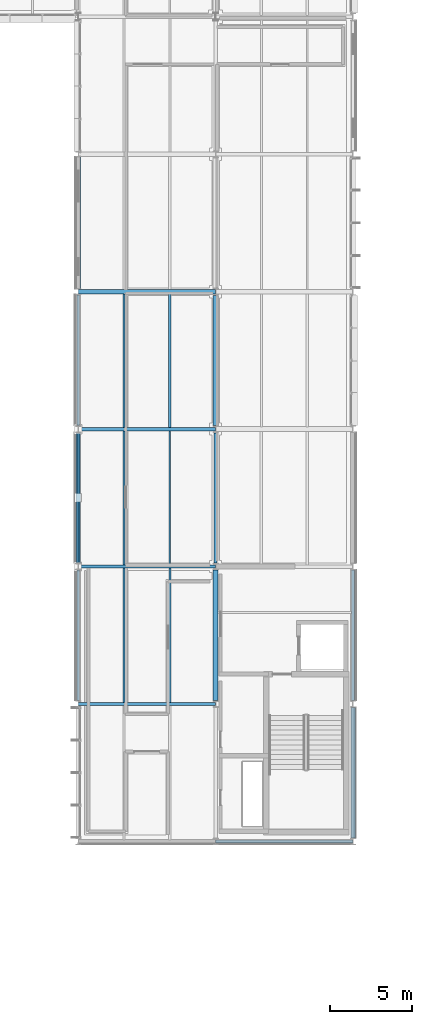
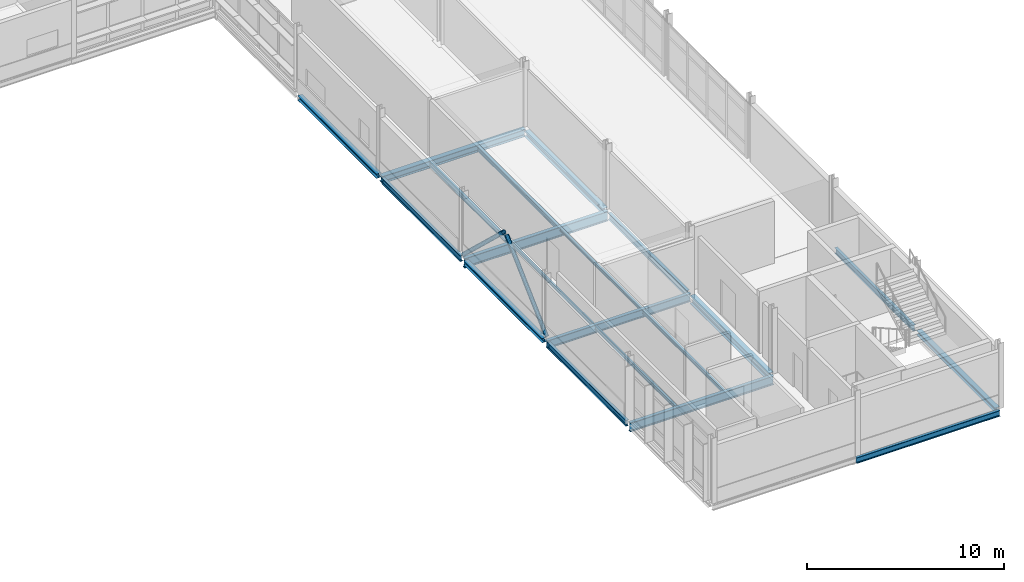
# One storey, part 84 of 131: 20 beams, 2 members.
"""IFC4 building model written with IfcOpenShell, lengths in metres."""

from ifc_helpers import new_model, si_unit, direction, frame, origin, origin_2d, place, context, subcontext, project, spatial, hollow_circle, i_section, extrude, material, material_profile, profile_set, type_object, element, save


model = new_model("IFC4")

# Units and contexts
model_context = context("Model", 3, precision=1e-05, world=origin(), true_north=direction((0.0, 1.0)))
body_context = subcontext(model_context, "Body", "Model", "MODEL_VIEW")
ifc_project = project(units=[si_unit("LENGTHUNIT", "METRE"), si_unit("AREAUNIT", "SQUARE_METRE"), si_unit("VOLUMEUNIT", "CUBIC_METRE"), si_unit("PLANEANGLEUNIT", "RADIAN"), si_unit("MASSUNIT", "GRAM", prefix="KILO")], contexts=[model_context])

# Site, building, storey
site_placement = place(None, origin())
site = spatial("IfcSite", under=ifc_project, at=site_placement, CompositionType="ELEMENT")
building_placement = place(site_placement, origin())
building = spatial("IfcBuilding", under=site, at=building_placement, Name="Mersafa Astral City Hall", CompositionType="ELEMENT")
storey_placement = place(building_placement, frame((0.0, 0.0, 13.949951171875)))
storey = spatial("IfcBuildingStorey", under=building, at=storey_placement, Name="L03", CompositionType="ELEMENT", Elevation=13.949951171875)

# Beams
ifc_material = material(Name="Steel S355", Category="steel")
ifc_material_profile_1 = material_profile(ifc_material, i_section(OverallWidth=0.300048828125, OverallDepth=0.35009765625, WebThickness=0.010009765625, FlangeThickness=0.017578125, FilletRadius=0.027099609375, at=origin_2d()), Name="HEA 360")
ifc_profile_set_1 = profile_set([ifc_material_profile_1], Name="Steel S355")
beam_type_1 = type_object("IfcBeamType", Name="STR-BM-HEA360", PredefinedType="BEAM", material=ifc_profile_set_1)
beam_1_placement = place(storey_placement, frame((168.0, 75.820068359375, -0.375), z_axis=(0.0, 1.0, 0.0), x_axis=(-1.0, 0.0, 0.0)))
element("IfcBeam", 1, at=beam_1_placement, inside=storey, type_object=beam_type_1, Name="L03 Primary girder Y 20-9", PredefinedType="BEAM", context=body_context, shape_type="SweptSolid", body=[
    extrude(i_section(OverallWidth=0.300048828125, OverallDepth=0.35009765625, WebThickness=0.010009765625, FlangeThickness=0.017578125, FilletRadius=0.027099609375, at=origin_2d()), origin(), (0.0, 0.0, 1.0), 7.9599609375),
])
ifc_material_profile_2 = material_profile(ifc_material, i_section(OverallWidth=0.300048828125, OverallDepth=0.43994140625, WebThickness=0.011474609375, FlangeThickness=0.02099609375, FilletRadius=0.027099609375, at=origin_2d()), Name="HEA 450")
ifc_profile_set_2 = profile_set([ifc_material_profile_2], Name="Steel S355")
beam_type_2 = type_object("IfcBeamType", Name="STR-BM-HEA450", PredefinedType="BEAM", material=ifc_profile_set_2)
beam_2_placement = place(storey_placement, frame((159.60302734375, 84.0, -0.419921875), z_axis=(1.0, 0.0, 0.0), x_axis=(0.0, 1.0, 0.0)))
element("IfcBeam", 2, at=beam_2_placement, inside=storey, type_object=beam_type_2, Name="L03 Primary girder X 19-10", PredefinedType="BEAM", context=body_context, shape_type="SweptSolid", body=[
    extrude(i_section(OverallWidth=0.300048828125, OverallDepth=0.43994140625, WebThickness=0.011474609375, FlangeThickness=0.02099609375, FilletRadius=0.027099609375, at=origin_2d()), origin(), (0.0, 0.0, 1.0), 8.39404296875),
])
ifc_material_profile_3 = material_profile(ifc_material, i_section(OverallWidth=0.300048828125, OverallDepth=0.489990234375, WebThickness=0.011962890625, FlangeThickness=0.02294921875, FilletRadius=0.027099609375, at=origin_2d()), Name="HEA 500")
ifc_profile_set_3 = profile_set([ifc_material_profile_3], Name="Steel S355")
beam_type_3 = type_object("IfcBeamType", Name="STR-BM-HEA500", PredefinedType="BEAM", material=ifc_profile_set_3)
beam_3_placement = place(storey_placement, frame((168.0, 59.02001953125, -0.445068359375), z_axis=(0.0, 1.0, 0.0), x_axis=(-1.0, 0.0, 0.0)))
element("IfcBeam", 3, at=beam_3_placement, inside=storey, type_object=beam_type_3, Name="L03 Primary girder Y 20-7", PredefinedType="BEAM", context=body_context, shape_type="SweptSolid", body=[
    extrude(i_section(OverallWidth=0.300048828125, OverallDepth=0.489990234375, WebThickness=0.011962890625, FlangeThickness=0.02294921875, FilletRadius=0.027099609375, at=origin_2d()), origin(), (0.0, 0.0, 1.0), 7.9599609375),
])
ifc_material_profile_4 = material_profile(ifc_material, i_section(OverallWidth=0.179931640625, OverallDepth=0.39990234375, WebThickness=0.008544921875, FlangeThickness=0.013427734375, FilletRadius=0.02099609375, at=origin_2d()), Name="IPE 400")
ifc_profile_set_4 = profile_set([ifc_material_profile_4], Name="Steel S355")
beam_type_4 = type_object("IfcBeamType", Name="STR-BM-IPE400", PredefinedType="BEAM", material=ifc_profile_set_4)
beam_4_placement = place(storey_placement, frame((168.0, 67.419921875, -0.39990234375), z_axis=(0.0, 1.0, 0.0), x_axis=(-1.0, 0.0, 0.0)))
element("IfcBeam", 4, at=beam_4_placement, inside=storey, type_object=beam_type_4, Name="L03 Primary girder Y 20-8", PredefinedType="BEAM", context=body_context, shape_type="SweptSolid", body=[
    extrude(i_section(OverallWidth=0.179931640625, OverallDepth=0.39990234375, WebThickness=0.008544921875, FlangeThickness=0.013427734375, FilletRadius=0.02099609375, at=origin_2d()), origin(), (0.0, 0.0, 1.0), 7.9599609375),
])
ifc_material_profile_5 = material_profile(ifc_material, i_section(OverallWidth=0.199951171875, OverallDepth=0.5, WebThickness=0.01025390625, FlangeThickness=0.01611328125, FilletRadius=0.02099609375, at=origin_2d()), Name="IPE 500")
ifc_profile_set_5 = profile_set([ifc_material_profile_5], Name="Steel S355")
beam_type_5 = type_object("IfcBeamType", Name="STR-BM-IPE500", PredefinedType="BEAM", material=ifc_profile_set_5)
beam_5_placement = place(storey_placement, frame((159.60302734375, 67.199951171875, -0.449951171875), z_axis=(1.0, 0.0, 0.0), x_axis=(0.0, 1.0, 0.0)))
element("IfcBeam", 5, at=beam_5_placement, inside=storey, type_object=beam_type_5, Name="L03 Primary girder X 19-8", PredefinedType="BEAM", context=body_context, shape_type="SweptSolid", body=[
    extrude(i_section(OverallWidth=0.199951171875, OverallDepth=0.5, WebThickness=0.01025390625, FlangeThickness=0.01611328125, FilletRadius=0.02099609375, at=origin_2d()), origin(), (0.0, 0.0, 1.0), 8.39404296875),
])
ifc_material_profile_6 = material_profile(ifc_material, i_section(OverallWidth=0.2099609375, OverallDepth=0.550048828125, WebThickness=0.010986328125, FlangeThickness=0.01708984375, FilletRadius=0.02392578125, at=origin_2d()), Name="IPE 550")
ifc_profile_set_6 = profile_set([ifc_material_profile_6], Name="Steel S355")
beam_type_6 = type_object("IfcBeamType", Name="STR-BM-IPE550", PredefinedType="BEAM", material=ifc_profile_set_6)
beam_6_placement = place(storey_placement, frame((159.60302734375, 58.800048828125, -0.474853515625), z_axis=(1.0, 0.0, 0.0), x_axis=(0.0, 1.0, 0.0)))
element("IfcBeam", 6, at=beam_6_placement, inside=storey, type_object=beam_type_6, Name="L03 Primary girder X 19-7", PredefinedType="BEAM", context=body_context, shape_type="SweptSolid", body=[
    extrude(i_section(OverallWidth=0.2099609375, OverallDepth=0.550048828125, WebThickness=0.010986328125, FlangeThickness=0.01708984375, FilletRadius=0.02392578125, at=origin_2d()), origin(), (0.0, 0.0, 1.0), 8.39404296875),
])
ifc_material_profile_7 = material_profile(ifc_material, i_section(OverallWidth=0.219970703125, OverallDepth=0.60009765625, WebThickness=0.011962890625, FlangeThickness=0.01904296875, FilletRadius=0.02392578125, at=origin_2d()), Name="IPE 600")
ifc_profile_set_7 = profile_set([ifc_material_profile_7], Name="Steel S355")
beam_type_7 = type_object("IfcBeamType", Name="STR-BM-IPE600", PredefinedType="BEAM", material=ifc_profile_set_7)
beam_7_placement = place(storey_placement, frame((159.60302734375, 75.60009765625, -0.5), z_axis=(1.0, 0.0, 0.0), x_axis=(0.0, 1.0, 0.0)))
element("IfcBeam", 7, at=beam_7_placement, inside=storey, type_object=beam_type_7, Name="L03 Primary girder X 19-9", PredefinedType="BEAM", context=body_context, shape_type="SweptSolid", body=[
    extrude(i_section(OverallWidth=0.219970703125, OverallDepth=0.60009765625, WebThickness=0.011962890625, FlangeThickness=0.01904296875, FilletRadius=0.02392578125, at=origin_2d()), origin(), (0.0, 0.0, 1.0), 8.39404296875),
])
ifc_material_profile_8 = material_profile(ifc_material, i_section(OverallWidth=0.110107421875, OverallDepth=0.219970703125, WebThickness=0.005859375, FlangeThickness=0.00927734375, FilletRadius=0.011962890625, at=origin_2d()), Name="IPE 220")
ifc_profile_set_8 = profile_set([ifc_material_profile_8], Name="Steel S355")
beam_type_8 = type_object("IfcBeamType", Name="STR-BM-JOIST-IPE220", PredefinedType="JOIST", material=ifc_profile_set_8)
for number, where, z_axis, x_axis, name in (
    (8, (162.39990234375, 67.294921875, -0.31005859375), (0.0, 1.0, 0.0), (-1.0, 0.0, 0.0), "L03 Composite secondary floor joist 656"),
    (9, (165.199951171875, 67.294921875, -0.31005859375), (0.0, 1.0, 0.0), (-1.0, 0.0, 0.0), "L03 Composite secondary floor joist 657"),
):
    element("IfcBeam", number, at=place(storey_placement, frame(where, z_axis=z_axis, x_axis=x_axis)), inside=storey, type_object=beam_type_8, Name=name, PredefinedType="JOIST", context=body_context, shape_type="SweptSolid", body=[
        extrude(i_section(OverallWidth=0.110107421875, OverallDepth=0.219970703125, WebThickness=0.005859375, FlangeThickness=0.00927734375, FilletRadius=0.011962890625, at=origin_2d()), origin(), (0.0, 0.0, 1.0), 8.2001953125),
    ])
ifc_material_profile_9 = material_profile(ifc_material, i_section(OverallWidth=0.1201171875, OverallDepth=0.239990234375, WebThickness=0.006103515625, FlangeThickness=0.009765625, FilletRadius=0.014892578125, at=origin_2d()), Name="IPE 240")
ifc_profile_set_9 = profile_set([ifc_material_profile_9], Name="Steel S355")
beam_type_9 = type_object("IfcBeamType", Name="STR-BM-JOIST-IPE240", PredefinedType="JOIST", material=ifc_profile_set_9)
for number, where, z_axis, x_axis, name in (
    (10, (162.39990234375, 58.89990234375, -0.320068359375), (0.0, 1.0, 0.0), (-1.0, 0.0, 0.0), "L03 Composite secondary floor joist 654"),
    (11, (165.199951171875, 58.89990234375, -0.320068359375), (0.0, 1.0, 0.0), (-1.0, 0.0, 0.0), "L03 Composite secondary floor joist 655"),
):
    element("IfcBeam", number, at=place(storey_placement, frame(where, z_axis=z_axis, x_axis=x_axis)), inside=storey, type_object=beam_type_9, Name=name, PredefinedType="JOIST", context=body_context, shape_type="SweptSolid", body=[
        extrude(i_section(OverallWidth=0.1201171875, OverallDepth=0.239990234375, WebThickness=0.006103515625, FlangeThickness=0.009765625, FilletRadius=0.014892578125, at=origin_2d()), origin(), (0.0, 0.0, 1.0), 8.205078125),
    ])
ifc_material_profile_10 = material_profile(ifc_material, i_section(OverallWidth=0.14990234375, OverallDepth=0.300048828125, WebThickness=0.007080078125, FlangeThickness=0.0107421875, FilletRadius=0.014892578125, at=origin_2d()), Name="IPE 300")
ifc_profile_set_10 = profile_set([ifc_material_profile_10], Name="Steel S355")
beam_type_10 = type_object("IfcBeamType", Name="STR-BM-JOIST-IPE300", PredefinedType="JOIST", material=ifc_profile_set_10)
for number, where, z_axis, x_axis, name in (
    (12, (162.39990234375, 75.705078125, -0.349853515625), (0.0, 1.0, 0.0), (-1.0, 0.0, 0.0), "L03 Composite secondary floor joist 658"),
    (13, (165.199951171875, 75.705078125, -0.349853515625), (0.0, 1.0, 0.0), (-1.0, 0.0, 0.0), "L03 Composite secondary floor joist 659"),
):
    element("IfcBeam", number, at=place(storey_placement, frame(where, z_axis=z_axis, x_axis=x_axis)), inside=storey, type_object=beam_type_10, Name=name, PredefinedType="JOIST", context=body_context, shape_type="SweptSolid", body=[
        extrude(i_section(OverallWidth=0.14990234375, OverallDepth=0.300048828125, WebThickness=0.007080078125, FlangeThickness=0.0107421875, FilletRadius=0.014892578125, at=origin_2d()), origin(), (0.0, 0.0, 1.0), 8.14990234375),
    ])
ifc_material_profile_11 = material_profile(ifc_material, i_section(OverallWidth=0.280029296875, OverallDepth=0.27001953125, WebThickness=0.008056640625, FlangeThickness=0.012939453125, FilletRadius=0.02392578125, at=origin_2d()), Name="HEA 280")
ifc_profile_set_11 = profile_set([ifc_material_profile_11], Name="Steel S355")
beam_type_11 = type_object("IfcBeamType", Name="STR-BM-SPANDREL-HEA280", PredefinedType="SPANDREL", material=ifc_profile_set_11)
beam_8_placement = place(storey_placement, frame((159.60009765625, 67.419921875, -0.3349609375), z_axis=(0.0, 1.0, 0.0), x_axis=(-1.0, 0.0, 0.0)))
element("IfcBeam", 14, at=beam_8_placement, inside=storey, type_object=beam_type_11, Name="L03 Primary girder Y 19-8", PredefinedType="SPANDREL", context=body_context, shape_type="SweptSolid", body=[
    extrude(i_section(OverallWidth=0.280029296875, OverallDepth=0.27001953125, WebThickness=0.008056640625, FlangeThickness=0.012939453125, FilletRadius=0.02392578125, at=origin_2d()), origin(), (0.0, 0.0, 1.0), 7.9599609375),
])
beam_9_placement = place(storey_placement, frame((159.60009765625, 84.195068359375, -0.3349609375), z_axis=(0.0, 1.0, 0.0), x_axis=(-1.0, 0.0, 0.0)))
element("IfcBeam", 15, at=beam_9_placement, inside=storey, type_object=beam_type_11, Name="L03 Primary girder Y 19-10", PredefinedType="SPANDREL", context=body_context, shape_type="SweptSolid", body=[
    extrude(i_section(OverallWidth=0.280029296875, OverallDepth=0.27001953125, WebThickness=0.008056640625, FlangeThickness=0.012939453125, FilletRadius=0.02392578125, at=origin_2d()), origin(), (0.0, 0.0, 1.0), 8.030029296875),
])
beam_10_placement = place(storey_placement, frame((176.39990234375, 50.6201171875, -0.3349609375), z_axis=(0.0, 1.0, 0.0), x_axis=(-1.0, 0.0, 0.0)))
element("IfcBeam", 16, at=beam_10_placement, inside=storey, type_object=beam_type_11, Name="L03 Primary girder Y 21-6", PredefinedType="SPANDREL", context=body_context, shape_type="SweptSolid", body=[
    extrude(i_section(OverallWidth=0.280029296875, OverallDepth=0.27001953125, WebThickness=0.008056640625, FlangeThickness=0.012939453125, FilletRadius=0.02392578125, at=origin_2d()), origin(), (0.0, 0.0, 1.0), 7.9599609375),
])
ifc_material_profile_12 = material_profile(ifc_material, i_section(OverallWidth=0.169921875, OverallDepth=0.360107421875, WebThickness=0.008056640625, FlangeThickness=0.0126953125, FilletRadius=0.01806640625, at=origin_2d()), Name="IPE 360")
ifc_profile_set_12 = profile_set([ifc_material_profile_12], Name="Steel S355")
beam_type_12 = type_object("IfcBeamType", Name="STR-BM-SPANDREL-IPE360", PredefinedType="SPANDREL", material=ifc_profile_set_12)
beam_11_placement = place(storey_placement, frame((168.0029296875, 50.39990234375, -0.3798828125), z_axis=(1.0, 0.0, 0.0), x_axis=(0.0, 1.0, 0.0)))
element("IfcBeam", 17, at=beam_11_placement, inside=storey, type_object=beam_type_12, Name="L03 Primary girder X 20-6", PredefinedType="SPANDREL", context=body_context, shape_type="SweptSolid", body=[
    extrude(i_section(OverallWidth=0.169921875, OverallDepth=0.360107421875, WebThickness=0.008056640625, FlangeThickness=0.0126953125, FilletRadius=0.01806640625, at=origin_2d()), origin(), (0.0, 0.0, 1.0), 8.39404296875),
])
beam_12_placement = place(storey_placement, frame((159.60009765625, 59.02001953125, -0.3798828125), z_axis=(0.0, 1.0, 0.0), x_axis=(-1.0, 0.0, 0.0)))
element("IfcBeam", 18, at=beam_12_placement, inside=storey, type_object=beam_type_12, Name="L03 Primary girder Y 19-7", PredefinedType="SPANDREL", context=body_context, shape_type="SweptSolid", body=[
    extrude(i_section(OverallWidth=0.169921875, OverallDepth=0.360107421875, WebThickness=0.008056640625, FlangeThickness=0.0126953125, FilletRadius=0.01806640625, at=origin_2d()), origin(), (0.0, 0.0, 1.0), 7.9599609375),
])
beam_13_placement = place(storey_placement, frame((159.60009765625, 75.820068359375, -0.3798828125), z_axis=(0.0, 1.0, 0.0), x_axis=(-1.0, 0.0, 0.0)))
element("IfcBeam", 19, at=beam_13_placement, inside=storey, type_object=beam_type_12, Name="L03 Primary girder Y 19-9", PredefinedType="SPANDREL", context=body_context, shape_type="SweptSolid", body=[
    extrude(i_section(OverallWidth=0.169921875, OverallDepth=0.360107421875, WebThickness=0.008056640625, FlangeThickness=0.0126953125, FilletRadius=0.01806640625, at=origin_2d()), origin(), (0.0, 0.0, 1.0), 7.98486328125),
])
beam_14_placement = place(storey_placement, frame((176.39990234375, 59.02001953125, -0.3798828125), z_axis=(0.0, 1.0, 0.0), x_axis=(-1.0, 0.0, 0.0)))
element("IfcBeam", 20, at=beam_14_placement, inside=storey, type_object=beam_type_12, Name="L03 Primary girder Y 21-7", PredefinedType="SPANDREL", context=body_context, shape_type="SweptSolid", body=[
    extrude(i_section(OverallWidth=0.169921875, OverallDepth=0.360107421875, WebThickness=0.008056640625, FlangeThickness=0.0126953125, FilletRadius=0.01806640625, at=origin_2d()), origin(), (0.0, 0.0, 1.0), 7.9599609375),
])

# Members
ifc_material_profile_13 = material_profile(ifc_material, hollow_circle(Radius=0.122314453125, WallThickness=0.012451171875, at=origin_2d()), Name="CHS 244.5x12.5")
ifc_profile_set_13 = profile_set([ifc_material_profile_13], Name="Steel S355")
member_type = type_object("IfcMemberType", Name="STR-MBR-BRACE-CHS245", PredefinedType="BRACE", material=ifc_profile_set_13)
for number, where, z_axis, x_axis, name in (
    (21, (159.60009765625, 67.197998046875, 0.02001953125), (0.0, 0.727136764997, 0.68649262559), (-1.0, 0.0, 0.0), "L03 Chevron lateral brace 35A"),
    (22, (159.60009765625, 75.60205078125, 0.02001953125), (0.0, -0.727136764997, 0.68649262559), (1.0, 0.0, 0.0), "L03 Chevron lateral brace 35B"),
):
    element("IfcMember", number, at=place(storey_placement, frame(where, z_axis=z_axis, x_axis=x_axis)), inside=storey, type_object=member_type, Name=name, PredefinedType="BRACE", context=body_context, shape_type="SweptSolid", body=[
        extrude(hollow_circle(Radius=0.122314453125, WallThickness=0.012451171875, at=origin_2d()), origin(), (0.0, 0.0, 1.0), 5.58642578125),
    ])

save(model, "model.ifc")
